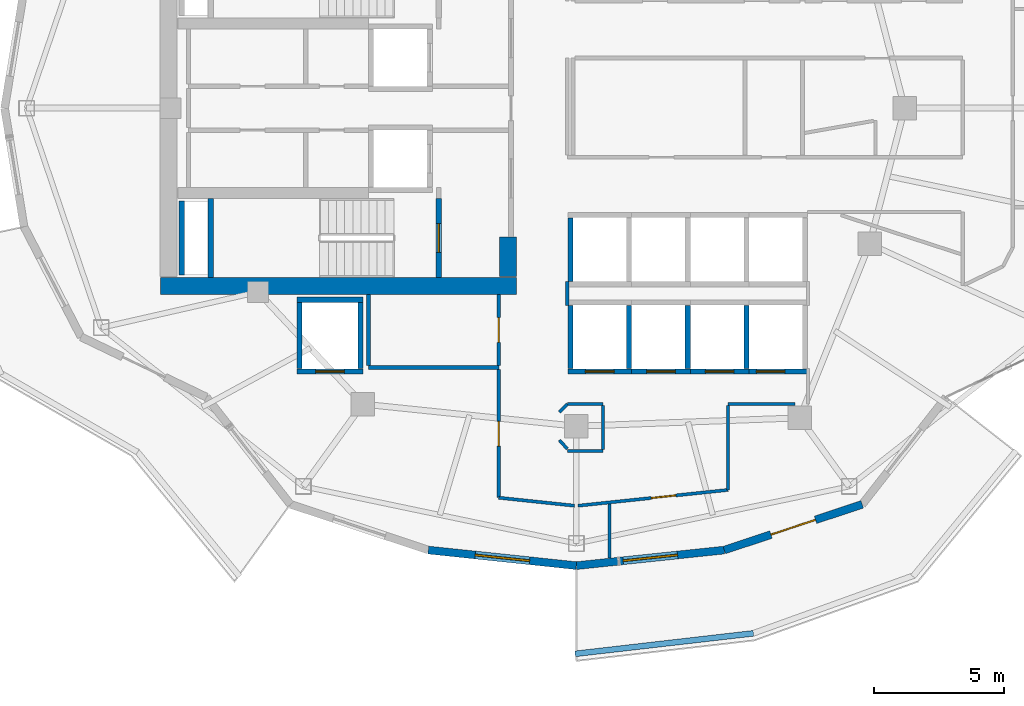
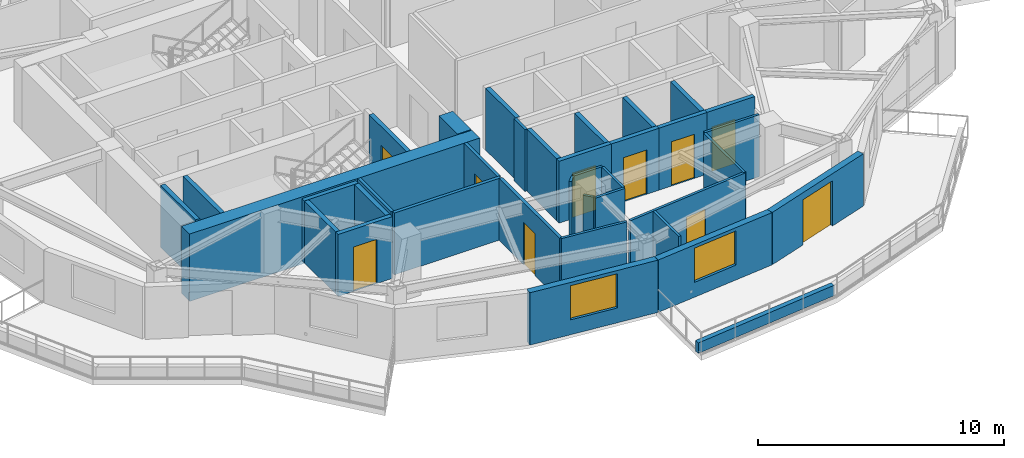
# One storey, part 5 of 13: 37 walls, 10 doors, 2 windows, 12 openings.
"""IFC4 building model written with IfcOpenShell, lengths in metres."""

import ifcopenshell
import ifcopenshell.guid

model = None  # the IFC model being written
_history = None  # IfcOwnerHistory: only IFC2X3 demands one
_inside = {}  # id of a spatial element -> (the spatial element, [elements in it])
_under = {}  # id of a project, library or spatial element -> (it, [spatial elements below it])
_declared = {}  # id of a project -> (the project, [libraries it declares])
_typed = {}  # id of a type object -> (the type object, [elements of that type])
_made_of = {}  # id of a material, layer set ... -> (it, [elements and type objects made of it])


def new_model(schema):
    """Start an empty IFC model of exactly this schema.

    Asked for "IFC4X3", IfcOpenShell would pick the latest addendum, in which some entities
    have other attributes; the version numbers below select the first issue.
    IFC2X3 requires an IfcOwnerHistory on every rooted entity: one is made here for all.
    """
    global model, _history
    if schema == "IFC4X3":
        model = ifcopenshell.file(schema_version=(4, 3, 0, 0))
    else:
        model = ifcopenshell.file(schema=schema)
    _inside.clear()
    _under.clear()
    _declared.clear()
    _typed.clear()
    _made_of.clear()
    _history = None
    if model.schema == "IFC2X3":
        org = make("IfcOrganization", Name="unknown")
        user = make(
            "IfcPersonAndOrganization",
            ThePerson=make("IfcPerson", FamilyName="unknown"),
            TheOrganization=org,
        )
        app = make(
            "IfcApplication",
            ApplicationDeveloper=org,
            Version="unknown",
            ApplicationFullName="unknown",
            ApplicationIdentifier="unknown",
        )
        _history = make(
            "IfcOwnerHistory",
            OwningUser=user,
            OwningApplication=app,
            ChangeAction="ADDED",
            CreationDate=0,
        )
    return model


def make(cls, **values):
    """One entity of the class cls with the attributes given. An attribute that is None is left unset."""
    return model.create_entity(
        cls, **{name: value for name, value in values.items() if value is not None}
    )


def rooted(cls, **values):
    """An entity with a GlobalId (a new one), such as an element, a storey or a relation."""
    return make(cls, GlobalId=ifcopenshell.guid.new(), OwnerHistory=_history, **values)


def si_unit(unit_type, name, prefix=None):
    """IfcSIUnit, for example si_unit("LENGTHUNIT", "METRE", prefix="MILLI")."""
    return make("IfcSIUnit", UnitType=unit_type, Prefix=prefix, Name=name)


def assignment(units):
    """IfcUnitAssignment: the units of a project."""
    return None if units is None else make("IfcUnitAssignment", Units=units)


def point(xyz):
    """IfcCartesianPoint."""
    return None if xyz is None else make("IfcCartesianPoint", Coordinates=xyz)


def direction(xyz):
    """IfcDirection."""
    return None if xyz is None else make("IfcDirection", DirectionRatios=xyz)


def frame(location, z_axis=None, x_axis=None):
    """IfcAxis2Placement3D, a coordinate frame: its origin and axes. An axis left out is left unset."""
    return make(
        "IfcAxis2Placement3D",
        Location=point(location),
        Axis=direction(z_axis),
        RefDirection=direction(x_axis),
    )


def frame_2d(location, x_axis=None):
    """IfcAxis2Placement2D, a coordinate frame in the plane: its origin and x axis."""
    return make(
        "IfcAxis2Placement2D", Location=point(location), RefDirection=direction(x_axis)
    )


def origin():
    """The frame at (0, 0, 0) with its axes left unset."""
    return frame((0.0, 0.0, 0.0))


def place(relative_to, where):
    """IfcLocalPlacement: puts the frame where relative to a parent placement (None: the world)."""
    return make(
        "IfcLocalPlacement", PlacementRelTo=relative_to, RelativePlacement=where
    )


def context(
    kind, dimensions, precision=None, world=None, true_north=None, identifier=None
):
    """IfcGeometricRepresentationContext, for example the 3D "Model" context."""
    return make(
        "IfcGeometricRepresentationContext",
        ContextIdentifier=identifier,
        ContextType=kind,
        CoordinateSpaceDimension=dimensions,
        Precision=precision,
        WorldCoordinateSystem=world,
        TrueNorth=true_north,
    )


def subcontext(parent, identifier, kind, view, scale=None):
    """IfcGeometricRepresentationSubContext, for example "Body" below "Model"."""
    return make(
        "IfcGeometricRepresentationSubContext",
        ContextIdentifier=identifier,
        ContextType=kind,
        ParentContext=parent,
        TargetScale=scale,
        TargetView=view,
    )


def project(units=None, contexts=None):
    """IfcProject with its units and contexts."""
    return rooted(
        "IfcProject",
        Name="project",
        RepresentationContexts=contexts,
        UnitsInContext=assignment(units),
    )


def spatial(cls, under=None, at=None, **own):
    """A site, building, storey or space (cls), placed at a placement, below another one or the project."""
    s = rooted(cls, ObjectPlacement=at, **own)
    if under is not None:
        _under.setdefault(under.id(), (under, []))[1].append(s)
    return s


def profile(cls, at=None, kind="AREA", **sizes):
    """A parametric profile (cls). Its sizes go by their IFC names, for example OverallWidth=200.0."""
    return make(cls, ProfileType=kind, Position=at, **sizes)


def rectangle(**sizes):
    """IfcRectangleProfileDef."""
    return profile("IfcRectangleProfileDef", **sizes)


def extrude(swept, where, along, depth):
    """IfcExtrudedAreaSolid: the profile swept, set in the frame where, extruded along a direction by depth."""
    return make(
        "IfcExtrudedAreaSolid",
        SweptArea=swept,
        Position=where,
        ExtrudedDirection=direction(along),
        Depth=depth,
    )


def shape(context_of_items, identifier, shape_type, items):
    """IfcShapeRepresentation: the items that make up one representation, for example the "Body"."""
    return make(
        "IfcShapeRepresentation",
        ContextOfItems=context_of_items,
        RepresentationIdentifier=identifier,
        RepresentationType=shape_type,
        Items=items,
    )


def material(Name=None, Category=None):
    """IfcMaterial."""
    return make("IfcMaterial", Name=Name, Category=Category)


def layer(
    of_material, thickness, ventilated=None, Name=None, Category=None, Priority=None
):
    """IfcMaterialLayer: one layer of a wall or slab, of a material (None: an air gap)."""
    return make(
        "IfcMaterialLayer",
        Material=of_material,
        LayerThickness=thickness,
        IsVentilated=ventilated,
        Name=Name,
        Category=Category,
        Priority=Priority,
    )


def layer_set(layers, Name=None):
    """IfcMaterialLayerSet."""
    return make("IfcMaterialLayerSet", MaterialLayers=layers, LayerSetName=Name)


def made_of(thing, what):
    """Note that an element or type object is made of a material, layer set ...; save() writes the relation."""
    if what is not None:
        _made_of.setdefault(what.id(), (what, []))[1].append(thing)
    return thing


def type_object(cls, material=None, **own):
    """A type object (cls), such as IfcWallType, which elements share."""
    return made_of(rooted(cls, **own), material)


def element(
    cls,
    number,
    at=None,
    inside=None,
    cuts=None,
    type_object=None,
    material=None,
    context=None,
    identifier="Body",
    shape_type=None,
    held_by="IfcProductDefinitionShape",
    body=None,
    shapes=None,
    **own,
):
    """One element of the class cls, such as IfcWall. Its Tag is "e" and its number.

    at: its placement. inside: the storey or other place that contains it. cuts: it is an
    opening in that element (IfcRelVoidsElement). A single representation is given by context,
    identifier, shape_type and body (its items); several are given by shapes. held_by: the class
    of the entity that holds the representations. save() writes the other relations.
    """
    e = rooted(cls, Tag="e%d" % number, ObjectPlacement=at, **own)
    if body is not None:
        shapes = [shape(context, identifier, shape_type, body)]
    if shapes is not None:
        e.Representation = make(held_by, Representations=shapes)
    if inside is not None:
        _inside.setdefault(inside.id(), (inside, []))[1].append(e)
    if cuts is not None:
        rooted(
            "IfcRelVoidsElement", RelatingBuildingElement=cuts, RelatedOpeningElement=e
        )
    if type_object is not None:
        _typed.setdefault(type_object.id(), (type_object, []))[1].append(e)
    return made_of(e, material)


def fill(opening, filler):
    """IfcRelFillsElement: the door or window that sits in an opening."""
    return rooted(
        "IfcRelFillsElement",
        RelatingOpeningElement=opening,
        RelatedBuildingElement=filler,
    )


def aggregate(whole, parts):
    """IfcRelAggregates: a whole, such as a stair, and the parts it consists of."""
    return rooted("IfcRelAggregates", RelatingObject=whole, RelatedObjects=parts)


def save(model, path):
    """Write the relations noted so far, then the file.

    IfcRelAggregates (storeys below a building ...), IfcRelContainedInSpatialStructure (elements
    in a storey), IfcRelDefinesByType, IfcRelAssociatesMaterial and IfcRelDeclares: one each for
    every whole, place, type object, material and project.
    """
    for whole, parts in _under.values():
        aggregate(whole, parts)
    for where, things in _inside.values():
        rooted(
            "IfcRelContainedInSpatialStructure",
            RelatedElements=things,
            RelatingStructure=where,
        )
    for kind, things in _typed.values():
        rooted("IfcRelDefinesByType", RelatedObjects=things, RelatingType=kind)
    for what, things in _made_of.values():
        rooted("IfcRelAssociatesMaterial", RelatedObjects=things, RelatingMaterial=what)
    for by, libraries in _declared.values():
        rooted("IfcRelDeclares", RelatingContext=by, RelatedDefinitions=libraries)
    model.write(path)


model = new_model("IFC4")

# Units and contexts
model_context = context("Model", 3, precision=1e-05, world=origin(), true_north=direction((0.0, 1.0)))
body_context = subcontext(model_context, "Body", "Model", "MODEL_VIEW")
ifc_project = project(units=[si_unit("LENGTHUNIT", "METRE"), si_unit("AREAUNIT", "SQUARE_METRE"), si_unit("VOLUMEUNIT", "CUBIC_METRE"), si_unit("PLANEANGLEUNIT", "RADIAN"), si_unit("MASSUNIT", "GRAM", prefix="KILO")], contexts=[model_context])

# Site, building, storey
site_placement = place(None, origin())
site = spatial("IfcSite", under=ifc_project, at=site_placement, CompositionType="ELEMENT")
building_placement = place(site_placement, origin())
building = spatial("IfcBuilding", under=site, at=building_placement, Name="Kolvaren Gate Tower and Convention Centre", CompositionType="ELEMENT")
storey_placement = place(building_placement, frame((0.0, 0.0, 183.5)))
storey = spatial("IfcBuildingStorey", under=building, at=storey_placement, Name="L48", CompositionType="ELEMENT", Elevation=183.5)

# Walls
ifc_material_1 = material(Name="Fire-Rated Acoustic Gypsum Stud Partition", Category="gypsum")
ifc_layer_1 = layer(ifc_material_1, 0.1201171875)
ifc_layer_set_1 = layer_set([ifc_layer_1], Name="Fire-Rated Acoustic Gypsum Stud Partition")
wall_type_1 = type_object("IfcWallType", Name="ARCH-WL-PART-120", PredefinedType="PARTITIONING", material=ifc_layer_set_1)
wall_1_placement = place(storey_placement, frame((29.780029296875, 15.64990234375, 0.0), z_axis=(0.0, 0.0, 1.0), x_axis=(1.0, 0.0, 0.0)))
element("IfcWall", 1, at=wall_1_placement, inside=storey, type_object=wall_type_1, Name="Interior Partition WL-L48-INT-024", PredefinedType="PARTITIONING", context=body_context, shape_type="SweptSolid", body=[
    extrude(rectangle(XDim=1.369873046875, YDim=0.1201171875, at=frame_2d((0.68505859375, 0.0))), origin(), (0.0, 0.0, 1.0), 3.080078125),
])
wall_2_placement = place(storey_placement, frame((35.949951171875, 15.64990234375, 0.0), z_axis=(0.0, 0.0, 1.0), x_axis=(1.0, 0.0, 0.0)))
element("IfcWall", 2, at=wall_2_placement, inside=storey, type_object=wall_type_1, Name="Interior Partition WL-L48-INT-025", PredefinedType="PARTITIONING", context=body_context, shape_type="SweptSolid", body=[
    extrude(rectangle(XDim=2.568115234375, YDim=0.1201171875, at=frame_2d((1.2841796875, 0.0))), origin(), (0.0, 0.0, 1.0), 3.080078125),
])
wall_3_placement = place(storey_placement, frame((35.949951171875, 12.35595703125, 0.0), z_axis=(0.0, 0.0, 1.0), x_axis=(0.0, 1.0, 0.0)))
element("IfcWall", 3, at=wall_3_placement, inside=storey, type_object=wall_type_1, Name="Interior Partition WL-L48-INT-026", PredefinedType="PARTITIONING", context=body_context, shape_type="SweptSolid", body=[
    extrude(rectangle(XDim=3.23193359375, YDim=0.1201171875, at=frame_2d((1.615966796875, 0.0))), origin(), (0.0, 0.0, 1.0), 3.080078125),
])

# Wall, opening, door
wall_4_placement = place(storey_placement, frame((30.195068359375, 11.75, 0.0), z_axis=(0.0, 0.0, 1.0), x_axis=(0.994502215954, 0.104715531139, 0.0)))
wall_4 = element("IfcWall", 4, at=wall_4_placement, inside=storey, type_object=wall_type_1, Name="Interior Partition WL-L48-INT-027", PredefinedType="PARTITIONING", context=body_context, shape_type="SweptSolid", body=[
    extrude(rectangle(XDim=5.78662109375, YDim=0.1201171875, at=frame_2d((2.893310546875, 0.0))), origin(), (0.0, 0.0, 1.0), 3.080078125),
])
opening_1_placement = place(wall_4_placement, frame((2.818603515625, 0.0, 0.0)))
opening_1 = element("IfcOpeningElement", 5, at=opening_1_placement, cuts=wall_4, Name="Opening DR-01", PredefinedType="OPENING", context=body_context, shape_type="SweptSolid", body=[
    extrude(rectangle(XDim=0.949951171875, YDim=2.10009765625, at=frame_2d((0.47509765625, 1.050048828125))), frame((0.0, 0.070068359375, 0.0), z_axis=(0.0, -1.0, 0.0), x_axis=(1.0, 0.0, 0.0)), (0.0, 0.0, 1.0), 0.14013671875),
])
ifc_material_2 = material(Name="Painted Architectural Steelwork ASTM A500 Grade C 345 MPa", Category="steel")
door_type_1 = type_object("IfcDoorType", Name="ARCH-DR-RISER-950", OperationType="SINGLE_SWING_RIGHT", PredefinedType="DOOR", material=ifc_material_2)
door_1_placement = place(opening_1_placement, origin())
door_1 = element("IfcDoor", 6, at=door_1_placement, inside=storey, type_object=door_type_1, Name="Sky Gastronomy Restaurant Door", OperationType="SINGLE_SWING_RIGHT", OverallHeight=2.10009765625, OverallWidth=0.949951171875, PredefinedType="DOOR", context=body_context, shape_type="SweptSolid", body=[
    extrude(rectangle(XDim=0.949951171875, YDim=2.10009765625, at=frame_2d((0.47509765625, 1.050048828125))), frame((0.0, 0.02490234375, 0.0), z_axis=(0.0, -1.0, 0.0), x_axis=(1.0, 0.0, 0.0)), (0.0, 0.0, 1.0), 0.050048828125),
])
fill(opening_1, door_1)

# Walls
wall_5_placement = place(storey_placement, frame((27.14990234375, 12.055908203125, 0.0), z_axis=(0.0, 0.0, 1.0), x_axis=(0.994501330468, -0.104723940422, 0.0)))
element("IfcWall", 7, at=wall_5_placement, inside=storey, type_object=wall_type_1, Name="Interior Partition WL-L48-INT-028", PredefinedType="PARTITIONING", context=body_context, shape_type="SweptSolid", body=[
    extrude(rectangle(XDim=2.921142578125, YDim=0.1201171875, at=frame_2d((1.46044921875, 0.0))), origin(), (0.0, 0.0, 1.0), 3.080078125),
])
wall_6_placement = place(storey_placement, frame((29.780029296875, 19.43994140625, 0.0), z_axis=(0.0, 0.0, 1.0), x_axis=(0.0, 1.0, 0.0)))
element("IfcWall", 8, at=wall_6_placement, inside=storey, type_object=wall_type_1, Name="Interior Partition WL-L48-INT-031", PredefinedType="PARTITIONING", context=body_context, shape_type="SweptSolid", body=[
    extrude(rectangle(XDim=0.920166015625, YDim=0.1201171875, at=frame_2d((0.4599609375, 0.0))), origin(), (0.0, 0.0, 1.0), 3.080078125),
])
wall_7_placement = place(storey_placement, frame((29.47607421875, 15.3330078125, 0.0), z_axis=(0.0, 0.0, 1.0), x_axis=(0.692219273951, 0.721687243043, 0.0)))
element("IfcWall", 9, at=wall_7_placement, inside=storey, type_object=wall_type_1, Name="Interior Partition WL-L48-INT-045", PredefinedType="PARTITIONING", context=body_context, shape_type="SweptSolid", body=[
    extrude(rectangle(XDim=0.439208984375, YDim=0.1201171875, at=frame_2d((0.2197265625, 0.0))), origin(), (0.0, 0.0, 1.0), 3.080078125),
])
wall_8_placement = place(storey_placement, frame((29.47607421875, 14.26708984375, 0.0), z_axis=(0.0, 0.0, 1.0), x_axis=(0.670659392016, -0.741765448037, 0.0)))
element("IfcWall", 10, at=wall_8_placement, inside=storey, type_object=wall_type_1, Name="Interior Partition WL-L48-INT-046", PredefinedType="PARTITIONING", context=body_context, shape_type="SweptSolid", body=[
    extrude(rectangle(XDim=0.453125, YDim=0.1201171875, at=frame_2d((0.2265625, 0.0))), origin(), (0.0, 0.0, 1.0), 3.080078125),
])
wall_9_placement = place(storey_placement, frame((29.780029296875, 13.85009765625, 0.0), z_axis=(0.0, 0.0, 1.0), x_axis=(1.0, 0.0, 0.0)))
element("IfcWall", 11, at=wall_9_placement, inside=storey, type_object=wall_type_1, Name="Interior Partition WL-L48-INT-047", PredefinedType="PARTITIONING", context=body_context, shape_type="SweptSolid", body=[
    extrude(rectangle(XDim=1.369873046875, YDim=0.1201171875, at=frame_2d((0.68505859375, 0.0))), origin(), (0.0, 0.0, 1.0), 3.080078125),
])
wall_10_placement = place(storey_placement, frame((31.14990234375, 13.912109375, 0.0), z_axis=(0.0, 0.0, 1.0), x_axis=(0.0, 1.0, 0.0)))
element("IfcWall", 12, at=wall_10_placement, inside=storey, type_object=wall_type_1, Name="Interior Partition WL-L48-INT-048", PredefinedType="PARTITIONING", context=body_context, shape_type="SweptSolid", body=[
    extrude(rectangle(XDim=1.67578125, YDim=0.1201171875, at=frame_2d((0.837890625, 0.0))), origin(), (0.0, 0.0, 1.0), 3.080078125),
])
wall_11_placement = place(storey_placement, frame((31.39990234375, 9.737060546875, 0.0), z_axis=(0.0, 0.0, 1.0), x_axis=(0.0, 1.0, 0.0)))
element("IfcWall", 13, at=wall_11_placement, inside=storey, type_object=wall_type_1, Name="Interior Partition WL-L48-INT-051", PredefinedType="PARTITIONING", context=body_context, shape_type="SweptSolid", body=[
    extrude(rectangle(XDim=2.077392578125, YDim=0.1201171875, at=frame_2d((1.03857421875, 0.0))), origin(), (0.0, 0.0, 1.0), 3.080078125),
])
ifc_material_3 = material(Name="Piedmont Cream Honed Limestone Cladding", Category="masonry")
ifc_layer_2 = layer(ifc_material_3, 0.219970703125)
ifc_layer_set_2 = layer_set([ifc_layer_2], Name="Piedmont Cream Honed Limestone Cladding")
wall_type_2 = type_object("IfcWallType", Name="ARCH-WL-PLANTER-220", PredefinedType="PARAPET", material=ifc_layer_set_2)
wall_12_placement = place(storey_placement, frame((30.07958984375, 6.06640625, 0.0), z_axis=(0.0, 0.0, 1.0), x_axis=(0.993440576506, 0.114349555972, 0.0)))
element("IfcWall", 14, at=wall_12_placement, inside=storey, type_object=wall_type_2, Name="Vertical-Forest Balcony Stone Planter Kerb PK-L48-3.1", PredefinedType="PARAPET", context=body_context, shape_type="SweptSolid", body=[
    extrude(rectangle(XDim=6.885498046875, YDim=0.219970703125, at=frame_2d((3.44287109375, 0.0))), origin(), (0.0, 0.0, 1.0), 0.52001953125),
])
ifc_material_4 = material(Name="Autoclaved Aerated Masonry Blockwork Class 4 (4.0 MPa)", Category="masonry")
ifc_layer_3 = layer(ifc_material_4, 0.199951171875)
ifc_layer_set_3 = layer_set([ifc_layer_3], Name="Autoclaved Aerated Masonry Blockwork Class 4 (4.0 MPa)")
wall_type_3 = type_object("IfcWallType", Name="ARCH-WL-SHAFT-200", PredefinedType="SOLIDWALL", material=ifc_layer_set_3)
wall_13_placement = place(storey_placement, frame((19.39990234375, 19.64990234375, 0.0), z_axis=(0.0, 0.0, 1.0), x_axis=(1.0, 0.0, 0.0)))
element("IfcWall", 15, at=wall_13_placement, inside=storey, type_object=wall_type_3, Name="Elevator SV-01 L48 Fire Shaft Wall N", PredefinedType="SOLIDWALL", context=body_context, shape_type="SweptSolid", body=[
    extrude(rectangle(XDim=2.550048828125, YDim=0.199951171875, at=frame_2d((1.27490234375, 0.0))), origin(), (0.0, 0.0, 1.0), 3.080078125),
])

# Wall, opening, door
wall_14_placement = place(storey_placement, frame((19.39990234375, 16.89990234375, 0.0), z_axis=(0.0, 0.0, 1.0), x_axis=(1.0, 0.0, 0.0)))
wall_14 = element("IfcWall", 16, at=wall_14_placement, inside=storey, type_object=wall_type_3, Name="Elevator SV-01 L48 Fire Shaft Wall S", PredefinedType="SOLIDWALL", context=body_context, shape_type="SweptSolid", body=[
    extrude(rectangle(XDim=2.550048828125, YDim=0.199951171875, at=frame_2d((1.27490234375, 0.0))), origin(), (0.0, 0.0, 1.0), 3.080078125),
])
opening_2_placement = place(wall_14_placement, frame((0.72509765625, 0.0, 0.0)))
opening_2 = element("IfcOpeningElement", 17, at=opening_2_placement, cuts=wall_14, Name="Opening LD", PredefinedType="OPENING", context=body_context, shape_type="SweptSolid", body=[
    extrude(rectangle(XDim=1.10009765625, YDim=2.199951171875, at=frame_2d((0.550048828125, 1.10009765625))), frame((0.0, 0.10986328125, 0.0), z_axis=(0.0, -1.0, 0.0), x_axis=(1.0, 0.0, 0.0)), (0.0, 0.0, 1.0), 0.219970703125),
])
ifc_material_5 = material(Name="Brushed Stainless Steel Grade 316L", Category="steel")
door_type_2 = type_object("IfcDoorType", Name="ARCH-DR-LIFT-1100", OperationType="SLIDING_TO_LEFT", PredefinedType="DOOR", material=ifc_material_5)
door_2_placement = place(opening_2_placement, origin())
door_2 = element("IfcDoor", 18, at=door_2_placement, inside=storey, type_object=door_type_2, Name="Elevator SV-01 L48 Sliding Landing Door", OperationType="SLIDING_TO_LEFT", OverallHeight=2.199951171875, OverallWidth=1.10009765625, PredefinedType="DOOR", context=body_context, shape_type="SweptSolid", body=[
    extrude(rectangle(XDim=1.10009765625, YDim=2.199951171875, at=frame_2d((0.550048828125, 1.10009765625))), frame((0.0, 0.02490234375, 0.0), z_axis=(0.0, -1.0, 0.0), x_axis=(1.0, 0.0, 0.0)), (0.0, 0.0, 1.0), 0.050048828125),
])
fill(opening_2, door_2)

# Walls
for number, where, z_axis, x_axis, name in (
    (19, (19.5, 17.010009765625, 0.0), (0.0, 0.0, 1.0), (0.0, 1.0, 0.0), "Elevator SV-01 L48 Fire Shaft Wall W"),
    (20, (21.85009765625, 17.010009765625, 0.0), (0.0, 0.0, 1.0), (0.0, 1.0, 0.0), "Elevator SV-01 L48 Fire Shaft Wall E"),
):
    element("IfcWall", number, at=place(storey_placement, frame(where, z_axis=z_axis, x_axis=x_axis)), inside=storey, type_object=wall_type_3, Name=name, PredefinedType="SOLIDWALL", context=body_context, shape_type="SweptSolid", body=[
        extrude(rectangle(XDim=2.530029296875, YDim=0.199951171875, at=frame_2d((1.26513671875, 0.0))), origin(), (0.0, 0.0, 1.0), 3.080078125),
    ])

# Wall, opening, door
wall_15_placement = place(storey_placement, frame((29.800048828125, 16.89990234375, 0.0), z_axis=(0.0, 0.0, 1.0), x_axis=(1.0, 0.0, 0.0)))
wall_15 = element("IfcWall", 21, at=wall_15_placement, inside=storey, type_object=wall_type_3, Name="Elevator PL-05 L48 Fire Shaft Wall S", PredefinedType="SOLIDWALL", context=body_context, shape_type="SweptSolid", body=[
    extrude(rectangle(XDim=2.449951171875, YDim=0.199951171875, at=frame_2d((1.22509765625, 0.0))), origin(), (0.0, 0.0, 1.0), 3.080078125),
])
opening_3_placement = place(wall_15_placement, frame((0.675048828125, 0.0, 0.0)))
opening_3 = element("IfcOpeningElement", 22, at=opening_3_placement, cuts=wall_15, Name="Opening LD", PredefinedType="OPENING", context=body_context, shape_type="SweptSolid", body=[
    extrude(rectangle(XDim=1.10009765625, YDim=2.199951171875, at=frame_2d((0.550048828125, 1.10009765625))), frame((0.0, 0.10986328125, 0.0), z_axis=(0.0, -1.0, 0.0), x_axis=(1.0, 0.0, 0.0)), (0.0, 0.0, 1.0), 0.219970703125),
])
door_3_placement = place(opening_3_placement, origin())
door_3 = element("IfcDoor", 23, at=door_3_placement, inside=storey, type_object=door_type_2, Name="Elevator PL-05 L48 Sliding Landing Door", OperationType="SLIDING_TO_LEFT", OverallHeight=2.199951171875, OverallWidth=1.10009765625, PredefinedType="DOOR", context=body_context, shape_type="SweptSolid", body=[
    extrude(rectangle(XDim=1.10009765625, YDim=2.199951171875, at=frame_2d((0.550048828125, 1.10009765625))), frame((0.0, 0.02490234375, 0.0), z_axis=(0.0, -1.0, 0.0), x_axis=(1.0, 0.0, 0.0)), (0.0, 0.0, 1.0), 0.050048828125),
])
fill(opening_3, door_3)

# Walls
for number, where, z_axis, x_axis, name in (
    (24, (29.89990234375, 17.010009765625, 0.0), (0.0, 0.0, 1.0), (0.0, 1.0, 0.0), "Elevator PL-05 L48 Fire Shaft Wall W"),
    (25, (32.14990234375, 17.010009765625, 0.0), (0.0, 0.0, 1.0), (0.0, 1.0, 0.0), "Elevator PL-05 L48 Fire Shaft Wall E"),
):
    element("IfcWall", number, at=place(storey_placement, frame(where, z_axis=z_axis, x_axis=x_axis)), inside=storey, type_object=wall_type_3, Name=name, PredefinedType="SOLIDWALL", context=body_context, shape_type="SweptSolid", body=[
        extrude(rectangle(XDim=2.429931640625, YDim=0.199951171875, at=frame_2d((1.21484375, 0.0))), origin(), (0.0, 0.0, 1.0), 3.080078125),
    ])

# Wall, opening, door
wall_16_placement = place(storey_placement, frame((32.25, 16.89990234375, 0.0), z_axis=(0.0, 0.0, 1.0), x_axis=(1.0, 0.0, 0.0)))
wall_16 = element("IfcWall", 26, at=wall_16_placement, inside=storey, type_object=wall_type_3, Name="Elevator PL-06 L48 Fire Shaft Wall S", PredefinedType="SOLIDWALL", context=body_context, shape_type="SweptSolid", body=[
    extrude(rectangle(XDim=2.25, YDim=0.199951171875, at=frame_2d((1.125, 0.0))), origin(), (0.0, 0.0, 1.0), 3.080078125),
])
opening_4_placement = place(wall_16_placement, frame((0.574951171875, 0.0, 0.0)))
opening_4 = element("IfcOpeningElement", 27, at=opening_4_placement, cuts=wall_16, Name="Opening LD", PredefinedType="OPENING", context=body_context, shape_type="SweptSolid", body=[
    extrude(rectangle(XDim=1.10009765625, YDim=2.199951171875, at=frame_2d((0.550048828125, 1.10009765625))), frame((0.0, 0.10986328125, 0.0), z_axis=(0.0, -1.0, 0.0), x_axis=(1.0, 0.0, 0.0)), (0.0, 0.0, 1.0), 0.219970703125),
])
door_4_placement = place(opening_4_placement, origin())
door_4 = element("IfcDoor", 28, at=door_4_placement, inside=storey, type_object=door_type_2, Name="Elevator PL-06 L48 Sliding Landing Door", OperationType="SLIDING_TO_LEFT", OverallHeight=2.199951171875, OverallWidth=1.10009765625, PredefinedType="DOOR", context=body_context, shape_type="SweptSolid", body=[
    extrude(rectangle(XDim=1.10009765625, YDim=2.199951171875, at=frame_2d((0.550048828125, 1.10009765625))), frame((0.0, 0.02490234375, 0.0), z_axis=(0.0, -1.0, 0.0), x_axis=(1.0, 0.0, 0.0)), (0.0, 0.0, 1.0), 0.050048828125),
])
fill(opening_4, door_4)

# Wall
wall_17_placement = place(storey_placement, frame((34.39990234375, 17.010009765625, 0.0), z_axis=(0.0, 0.0, 1.0), x_axis=(0.0, 1.0, 0.0)))
element("IfcWall", 29, at=wall_17_placement, inside=storey, type_object=wall_type_3, Name="Elevator PL-06 L48 Fire Shaft Wall E", PredefinedType="SOLIDWALL", context=body_context, shape_type="SweptSolid", body=[
    extrude(rectangle(XDim=2.429931640625, YDim=0.199951171875, at=frame_2d((1.21484375, 0.0))), origin(), (0.0, 0.0, 1.0), 3.080078125),
])

# Wall, opening, door
wall_18_placement = place(storey_placement, frame((34.5, 16.89990234375, 0.0), z_axis=(0.0, 0.0, 1.0), x_axis=(1.0, 0.0, 0.0)))
wall_18 = element("IfcWall", 30, at=wall_18_placement, inside=storey, type_object=wall_type_3, Name="Elevator PL-07 L48 Fire Shaft Wall S", PredefinedType="SOLIDWALL", context=body_context, shape_type="SweptSolid", body=[
    extrude(rectangle(XDim=2.25, YDim=0.199951171875, at=frame_2d((1.125, 0.0))), origin(), (0.0, 0.0, 1.0), 3.080078125),
])
opening_5_placement = place(wall_18_placement, frame((0.574951171875, 0.0, 0.0)))
opening_5 = element("IfcOpeningElement", 31, at=opening_5_placement, cuts=wall_18, Name="Opening LD", PredefinedType="OPENING", context=body_context, shape_type="SweptSolid", body=[
    extrude(rectangle(XDim=1.10009765625, YDim=2.199951171875, at=frame_2d((0.550048828125, 1.10009765625))), frame((0.0, 0.10986328125, 0.0), z_axis=(0.0, -1.0, 0.0), x_axis=(1.0, 0.0, 0.0)), (0.0, 0.0, 1.0), 0.219970703125),
])
door_5_placement = place(opening_5_placement, origin())
door_5 = element("IfcDoor", 32, at=door_5_placement, inside=storey, type_object=door_type_2, Name="Elevator PL-07 L48 Sliding Landing Door", OperationType="SLIDING_TO_LEFT", OverallHeight=2.199951171875, OverallWidth=1.10009765625, PredefinedType="DOOR", context=body_context, shape_type="SweptSolid", body=[
    extrude(rectangle(XDim=1.10009765625, YDim=2.199951171875, at=frame_2d((0.550048828125, 1.10009765625))), frame((0.0, 0.02490234375, 0.0), z_axis=(0.0, -1.0, 0.0), x_axis=(1.0, 0.0, 0.0)), (0.0, 0.0, 1.0), 0.050048828125),
])
fill(opening_5, door_5)

# Wall
wall_19_placement = place(storey_placement, frame((36.64990234375, 17.010009765625, 0.0), z_axis=(0.0, 0.0, 1.0), x_axis=(0.0, 1.0, 0.0)))
element("IfcWall", 33, at=wall_19_placement, inside=storey, type_object=wall_type_3, Name="Elevator PL-07 L48 Fire Shaft Wall E", PredefinedType="SOLIDWALL", context=body_context, shape_type="SweptSolid", body=[
    extrude(rectangle(XDim=2.429931640625, YDim=0.199951171875, at=frame_2d((1.21484375, 0.0))), origin(), (0.0, 0.0, 1.0), 3.080078125),
])

# Wall, opening, door
wall_20_placement = place(storey_placement, frame((36.75, 16.89990234375, 0.0), z_axis=(0.0, 0.0, 1.0), x_axis=(1.0, 0.0, 0.0)))
wall_20 = element("IfcWall", 34, at=wall_20_placement, inside=storey, type_object=wall_type_3, Name="Elevator PL-08 L48 Fire Shaft Wall S", PredefinedType="SOLIDWALL", context=body_context, shape_type="SweptSolid", body=[
    extrude(rectangle(XDim=2.25, YDim=0.199951171875, at=frame_2d((1.125, 0.0))), origin(), (0.0, 0.0, 1.0), 3.080078125),
])
opening_6_placement = place(wall_20_placement, frame((0.280029296875, 0.0, 0.0)))
opening_6 = element("IfcOpeningElement", 35, at=opening_6_placement, cuts=wall_20, Name="Opening LD", PredefinedType="OPENING", context=body_context, shape_type="SweptSolid", body=[
    extrude(rectangle(XDim=1.10009765625, YDim=2.199951171875, at=frame_2d((0.550048828125, 1.10009765625))), frame((0.0, 0.10986328125, 0.0), z_axis=(0.0, -1.0, 0.0), x_axis=(1.0, 0.0, 0.0)), (0.0, 0.0, 1.0), 0.219970703125),
])
door_6_placement = place(opening_6_placement, origin())
door_6 = element("IfcDoor", 36, at=door_6_placement, inside=storey, type_object=door_type_2, Name="Elevator PL-08 L48 Sliding Landing Door", OperationType="SLIDING_TO_LEFT", OverallHeight=2.199951171875, OverallWidth=1.10009765625, PredefinedType="DOOR", context=body_context, shape_type="SweptSolid", body=[
    extrude(rectangle(XDim=1.10009765625, YDim=2.199951171875, at=frame_2d((0.550048828125, 1.10009765625))), frame((0.0, 0.02490234375, 0.0), z_axis=(0.0, -1.0, 0.0), x_axis=(1.0, 0.0, 0.0)), (0.0, 0.0, 1.0), 0.050048828125),
])
fill(opening_6, door_6)

# Walls
wall_21_placement = place(storey_placement, frame((29.89990234375, 20.360107421875, 0.0), z_axis=(0.0, 0.0, 1.0), x_axis=(0.0, 1.0, 0.0)))
element("IfcWall", 37, at=wall_21_placement, inside=storey, type_object=wall_type_3, Name="Elevator PL-09 L48 Fire Shaft Wall W", PredefinedType="SOLIDWALL", context=body_context, shape_type="SweptSolid", body=[
    extrude(rectangle(XDim=2.429931640625, YDim=0.199951171875, at=frame_2d((1.21484375, 0.0))), origin(), (0.0, 0.0, 1.0), 3.080078125),
])
wall_22_placement = place(storey_placement, frame((14.989990234375, 20.60009765625, 0.0), z_axis=(0.0, 0.0, 1.0), x_axis=(0.0, 1.0, 0.0)))
element("IfcWall", 38, at=wall_22_placement, inside=storey, type_object=wall_type_3, Name="Vertical Shaft MPR L48 EI-120 Enclosure Wall W", PredefinedType="SOLIDWALL", context=body_context, shape_type="SweptSolid", body=[
    extrude(rectangle(XDim=2.849853515625, YDim=0.199951171875, at=frame_2d((1.4248046875, 0.0))), origin(), (0.0, 0.0, 1.0), 3.080078125),
])

# Wall, opening, window
ifc_layer_4 = layer(ifc_material_3, 0.300048828125)
ifc_layer_set_4 = layer_set([ifc_layer_4], Name="Piedmont Cream Honed Limestone Cladding")
wall_type_4 = type_object("IfcWallType", Name="ARCH-WL-STONE-300", PredefinedType="SOLIDWALL", material=ifc_layer_set_4)
wall_23_placement = place(storey_placement, frame((24.447265625, 10.048095703125, 0.0), z_axis=(0.0, 0.0, 1.0), x_axis=(0.994496545245, -0.104769372887, 0.0)))
wall_23 = element("IfcWall", 39, at=wall_23_placement, inside=storey, type_object=wall_type_4, Name="Tower L48 Honed Stone Spandrel Wall EW-17", PredefinedType="SOLIDWALL", context=body_context, shape_type="SweptSolid", body=[
    extrude(rectangle(XDim=5.709228515625, YDim=0.300048828125, at=frame_2d((2.8544921875, 0.0))), origin(), (0.0, 0.0, 1.0), 2.60302734375),
])
opening_7_placement = place(wall_23_placement, frame((1.804931640625, 0.0, 0.739990234375)))
opening_7 = element("IfcOpeningElement", 40, at=opening_7_placement, cuts=wall_23, Name="Opening W-02", PredefinedType="OPENING", context=body_context, shape_type="SweptSolid", body=[
    extrude(rectangle(XDim=2.10009765625, YDim=1.699951171875, at=frame_2d((1.050048828125, 0.85009765625))), frame((0.0, 0.159912109375, 0.0), z_axis=(0.0, -1.0, 0.0), x_axis=(1.0, 0.0, 0.0)), (0.0, 0.0, 1.0), 0.320068359375),
])
ifc_material_6 = material(Name="Low-E Triple Insulated Glazing Unit 44 mm", Category="glass")
window_type = type_object("IfcWindowType", Name="ARCH-WN-HTL-2100", PartitioningType="SINGLE_PANEL", PredefinedType="WINDOW", material=ifc_material_6)
window_1_placement = place(opening_7_placement, origin())
window_1 = element("IfcWindow", 41, at=window_1_placement, inside=storey, type_object=window_type, Name="Tower L48 Punched Stone Facade Window W-17", OverallHeight=1.699951171875, OverallWidth=2.10009765625, PartitioningType="SINGLE_PANEL", PredefinedType="WINDOW", context=body_context, shape_type="SweptSolid", body=[
    extrude(rectangle(XDim=2.10009765625, YDim=1.699951171875, at=frame_2d((1.050048828125, 0.85009765625))), frame((0.0, 0.030029296875, 0.0), z_axis=(0.0, -1.0, 0.0), x_axis=(1.0, 0.0, 0.0)), (0.0, 0.0, 1.0), 0.06005859375),
])
fill(opening_7, window_1)

wall_24_placement = place(storey_placement, frame((30.125, 9.449951171875, 0.0), z_axis=(0.0, 0.0, 1.0), x_axis=(0.994496545245, 0.104769372887, 0.0)))
wall_24 = element("IfcWall", 42, at=wall_24_placement, inside=storey, type_object=wall_type_4, Name="Tower L48 Honed Stone Spandrel Wall EW-18", PredefinedType="SOLIDWALL", context=body_context, shape_type="SweptSolid", body=[
    extrude(rectangle(XDim=5.709228515625, YDim=0.300048828125, at=frame_2d((2.8544921875, 0.0))), origin(), (0.0, 0.0, 1.0), 2.60302734375),
])
opening_8_placement = place(wall_24_placement, frame((1.804931640625, 0.0, 0.739990234375)))
opening_8 = element("IfcOpeningElement", 43, at=opening_8_placement, cuts=wall_24, Name="Opening W-02", PredefinedType="OPENING", context=body_context, shape_type="SweptSolid", body=[
    extrude(rectangle(XDim=2.10009765625, YDim=1.699951171875, at=frame_2d((1.050048828125, 0.85009765625))), frame((0.0, 0.159912109375, 0.0), z_axis=(0.0, -1.0, 0.0), x_axis=(1.0, 0.0, 0.0)), (0.0, 0.0, 1.0), 0.320068359375),
])
window_2_placement = place(opening_8_placement, origin())
window_2 = element("IfcWindow", 44, at=window_2_placement, inside=storey, type_object=window_type, Name="Tower L48 Punched Stone Facade Window W-18", OverallHeight=1.699951171875, OverallWidth=2.10009765625, PartitioningType="SINGLE_PANEL", PredefinedType="WINDOW", context=body_context, shape_type="SweptSolid", body=[
    extrude(rectangle(XDim=2.10009765625, YDim=1.699951171875, at=frame_2d((1.050048828125, 0.85009765625))), frame((0.0, 0.030029296875, 0.0), z_axis=(0.0, -1.0, 0.0), x_axis=(1.0, 0.0, 0.0)), (0.0, 0.0, 1.0), 0.06005859375),
])
fill(opening_8, window_2)

# Wall, opening, door
wall_25_placement = place(storey_placement, frame((35.802734375, 10.048095703125, 0.0), z_axis=(0.0, 0.0, 1.0), x_axis=(0.949246811547, 0.314532177636, 0.0)))
wall_25 = element("IfcWall", 45, at=wall_25_placement, inside=storey, type_object=wall_type_4, Name="Tower L48 Honed Stone Spandrel Wall EW-19", PredefinedType="SOLIDWALL", context=body_context, shape_type="SweptSolid", body=[
    extrude(rectangle(XDim=5.573974609375, YDim=0.300048828125, at=frame_2d((2.787109375, 0.0))), origin(), (0.0, 0.0, 1.0), 2.60302734375),
])
opening_9_placement = place(wall_25_placement, frame((1.886962890625, 0.0, 0.0)))
opening_9 = element("IfcOpeningElement", 46, at=opening_9_placement, cuts=wall_25, Name="Opening DB-01", PredefinedType="OPENING", context=body_context, shape_type="SweptSolid", body=[
    extrude(rectangle(XDim=1.800048828125, YDim=2.25, at=frame_2d((0.89990234375, 1.125))), frame((0.0, 0.159912109375, 0.0), z_axis=(0.0, -1.0, 0.0), x_axis=(1.0, 0.0, 0.0)), (0.0, 0.0, 1.0), 0.320068359375),
])
ifc_material_7 = material(Name="Anodized Architectural Aluminium Alloy 6063-T6", Category="aluminium")
door_type_3 = type_object("IfcDoorType", Name="ARCH-DR-BALC-1800", OperationType="SLIDING_TO_LEFT", PredefinedType="DOOR", material=ifc_material_7)
door_7_placement = place(opening_9_placement, frame((1.800048828125, 0.0, 0.0), z_axis=(0.0, 0.0, 1.0), x_axis=(-1.0, 0.0, 0.0)))
door_7 = element("IfcDoor", 47, at=door_7_placement, inside=storey, type_object=door_type_3, Name="Planted Sky Terrace Access Door DB-L48-19", OperationType="SLIDING_TO_LEFT", OverallHeight=2.25, OverallWidth=1.800048828125, PredefinedType="DOOR", context=body_context, shape_type="SweptSolid", body=[
    extrude(rectangle(XDim=1.800048828125, YDim=2.25, at=frame_2d((0.89990234375, 1.125))), frame((0.0, 0.02490234375, 0.0), z_axis=(0.0, -1.0, 0.0), x_axis=(1.0, 0.0, 0.0)), (0.0, 0.0, 1.0), 0.050048828125),
])
fill(opening_9, door_7)

# Walls
ifc_material_8 = material(Name="Moisture-Resistant Cement-Board Acoustic Partition", Category="gypsum")
ifc_layer_5 = layer(ifc_material_8, 0.14990234375)
ifc_layer_set_5 = layer_set([ifc_layer_5], Name="Moisture-Resistant Cement-Board Acoustic Partition")
wall_type_5 = type_object("IfcWallType", Name="ARCH-WL-WET-150", PredefinedType="PARTITIONING", material=ifc_layer_set_5)
wall_26_placement = place(storey_placement, frame((22.14990234375, 17.050048828125, 0.0), z_axis=(0.0, 0.0, 1.0), x_axis=(1.0, 0.0, 0.0)))
element("IfcWall", 48, at=wall_26_placement, inside=storey, type_object=wall_type_5, Name="Interior Partition WL-L48-INT-009", PredefinedType="PARTITIONING", context=body_context, shape_type="SweptSolid", body=[
    extrude(rectangle(XDim=5.0, YDim=0.14990234375, at=frame_2d((2.5, 0.0))), origin(), (0.0, 0.0, 1.0), 3.080078125),
])
wall_27_placement = place(storey_placement, frame((22.14990234375, 17.126953125, 0.0), z_axis=(0.0, 0.0, 1.0), x_axis=(0.0, 1.0, 0.0)))
element("IfcWall", 49, at=wall_27_placement, inside=storey, type_object=wall_type_5, Name="Interior Partition WL-L48-INT-010", PredefinedType="PARTITIONING", context=body_context, shape_type="SweptSolid", body=[
    extrude(rectangle(XDim=2.720947265625, YDim=0.14990234375, at=frame_2d((1.3603515625, 0.0))), origin(), (0.0, 0.0, 1.0), 3.080078125),
])

# Wall, opening, door
wall_28_placement = place(storey_placement, frame((27.14990234375, 12.055908203125, 0.0), z_axis=(0.0, 0.0, 1.0), x_axis=(0.0, 1.0, 0.0)))
wall_28 = element("IfcWall", 50, at=wall_28_placement, inside=storey, type_object=wall_type_5, Name="Interior Partition WL-L48-INT-011", PredefinedType="PARTITIONING", context=body_context, shape_type="SweptSolid", body=[
    extrude(rectangle(XDim=4.9169921875, YDim=0.14990234375, at=frame_2d((2.45849609375, 0.0))), origin(), (0.0, 0.0, 1.0), 3.080078125),
])
opening_10_placement = place(wall_28_placement, frame((1.9833984375, 0.0, 0.0)))
opening_10 = element("IfcOpeningElement", 51, at=opening_10_placement, cuts=wall_28, Name="Opening DR-01", PredefinedType="OPENING", context=body_context, shape_type="SweptSolid", body=[
    extrude(rectangle(XDim=0.949951171875, YDim=2.10009765625, at=frame_2d((0.47509765625, 1.050048828125))), frame((0.0, 0.0849609375, 0.0), z_axis=(0.0, -1.0, 0.0), x_axis=(1.0, 0.0, 0.0)), (0.0, 0.0, 1.0), 0.169921875),
])
door_8_placement = place(opening_10_placement, origin())
door_8 = element("IfcDoor", 52, at=door_8_placement, inside=storey, type_object=door_type_1, Name="Sky Gastronomy Restaurant Door", OperationType="SINGLE_SWING_LEFT", OverallHeight=2.10009765625, OverallWidth=0.949951171875, PredefinedType="DOOR", context=body_context, shape_type="SweptSolid", body=[
    extrude(rectangle(XDim=0.949951171875, YDim=2.10009765625, at=frame_2d((0.47509765625, 1.050048828125))), frame((0.0, 0.02490234375, 0.0), z_axis=(0.0, -1.0, 0.0), x_axis=(1.0, 0.0, 0.0)), (0.0, 0.0, 1.0), 0.050048828125),
])
fill(opening_10, door_8)

wall_29_placement = place(storey_placement, frame((27.14990234375, 17.126953125, 0.0), z_axis=(0.0, 0.0, 1.0), x_axis=(0.0, 1.0, 0.0)))
wall_29 = element("IfcWall", 53, at=wall_29_placement, inside=storey, type_object=wall_type_5, Name="Interior Partition WL-L48-INT-011 (2)", PredefinedType="PARTITIONING", context=body_context, shape_type="SweptSolid", body=[
    extrude(rectangle(XDim=2.720947265625, YDim=0.14990234375, at=frame_2d((1.3603515625, 0.0))), origin(), (0.0, 0.0, 1.0), 3.080078125),
])
opening_11_placement = place(wall_29_placement, frame((0.885498046875, 0.0, 0.0)))
opening_11 = element("IfcOpeningElement", 54, at=opening_11_placement, cuts=wall_29, Name="Opening DR-01", PredefinedType="OPENING", context=body_context, shape_type="SweptSolid", body=[
    extrude(rectangle(XDim=0.949951171875, YDim=2.10009765625, at=frame_2d((0.47509765625, 1.050048828125))), frame((0.0, 0.0849609375, 0.0), z_axis=(0.0, -1.0, 0.0), x_axis=(1.0, 0.0, 0.0)), (0.0, 0.0, 1.0), 0.169921875),
])
door_9_placement = place(opening_11_placement, origin())
door_9 = element("IfcDoor", 55, at=door_9_placement, inside=storey, type_object=door_type_1, Name="West Linen and Supply Store Door", OperationType="SINGLE_SWING_RIGHT", OverallHeight=2.10009765625, OverallWidth=0.949951171875, PredefinedType="DOOR", context=body_context, shape_type="SweptSolid", body=[
    extrude(rectangle(XDim=0.949951171875, YDim=2.10009765625, at=frame_2d((0.47509765625, 1.050048828125))), frame((0.0, 0.02490234375, 0.0), z_axis=(0.0, -1.0, 0.0), x_axis=(1.0, 0.0, 0.0)), (0.0, 0.0, 1.0), 0.050048828125),
])
fill(opening_11, door_9)

# Walls
ifc_material_9 = material(Name="Concrete C60/75", Category="concrete")
ifc_layer_6 = layer(ifc_material_9, 0.64990234375)
ifc_layer_set_6 = layer_set([ifc_layer_6], Name="Concrete C60/75")
wall_type_6 = type_object("IfcWallType", Name="STR-WL-CORE-650", PredefinedType="SHEAR", material=ifc_layer_set_6)
wall_30_placement = place(storey_placement, frame((14.175048828125, 20.175048828125, -0.27001953125), z_axis=(0.0, 0.0, 1.0), x_axis=(1.0, 0.0, 0.0)))
element("IfcWall", 56, at=wall_30_placement, inside=storey, type_object=wall_type_6, Name="Tower L48 Offset Core Shear Wall S", PredefinedType="SHEAR", context=body_context, shape_type="SweptSolid", body=[
    extrude(rectangle(XDim=13.64990234375, YDim=0.64990234375, at=frame_2d((6.824951171875, 0.0))), origin(), (0.0, 0.0, 1.0), 3.35009765625),
])
wall_31_placement = place(storey_placement, frame((27.5, 20.550048828125, -0.27001953125), z_axis=(0.0, 0.0, 1.0), x_axis=(0.0, 1.0, 0.0)))
element("IfcWall", 57, at=wall_31_placement, inside=storey, type_object=wall_type_6, Name="Tower L48 Offset Core Shear Wall ES", PredefinedType="SHEAR", context=body_context, shape_type="SweptSolid", body=[
    extrude(rectangle(XDim=1.5, YDim=0.64990234375, at=frame_2d((0.75, 0.0))), origin(), (0.0, 0.0, 1.0), 3.35009765625),
])

# Wall, opening, door
ifc_material_10 = material(Name="Concrete C50/60", Category="concrete")
ifc_layer_7 = layer(ifc_material_10, 0.199951171875)
ifc_layer_set_7 = layer_set([ifc_layer_7], Name="Concrete C50/60")
wall_type_7 = type_object("IfcWallType", Name="STR-WL-SHAFT-200", PredefinedType="SHEAR", material=ifc_layer_set_7)
wall_32_placement = place(storey_placement, frame((24.85009765625, 20.501953125, -0.27001953125), z_axis=(0.0, 0.0, 1.0), x_axis=(0.0, 1.0, 0.0)))
wall_32 = element("IfcWall", 58, at=wall_32_placement, inside=storey, type_object=wall_type_7, Name="Tower South Exit Stair ST-T2 L48 Structural Shear Enclosure Wall NEAR", PredefinedType="SHEAR", context=body_context, shape_type="SweptSolid", body=[
    extrude(rectangle(XDim=3.0380859375, YDim=0.199951171875, at=frame_2d((1.51904296875, 0.0))), origin(), (0.0, 0.0, 1.0), 3.35009765625),
])
opening_12_placement = place(wall_32_placement, frame((0.968994140625, 0.0, 0.27001953125)))
opening_12 = element("IfcOpeningElement", 59, at=opening_12_placement, cuts=wall_32, Name="Opening DS-01", PredefinedType="OPENING", context=body_context, shape_type="SweptSolid", body=[
    extrude(rectangle(XDim=1.10009765625, YDim=2.14990234375, at=frame_2d((0.550048828125, 1.074951171875))), frame((0.0, 0.10986328125, 0.0), z_axis=(0.0, -1.0, 0.0), x_axis=(1.0, 0.0, 0.0)), (0.0, 0.0, 1.0), 0.219970703125),
])
door_type_4 = type_object("IfcDoorType", Name="ARCH-DR-STAIR-1100", OperationType="SINGLE_SWING_LEFT", PredefinedType="DOOR", material=ifc_material_2)
door_10_placement = place(opening_12_placement, origin())
door_10 = element("IfcDoor", 60, at=door_10_placement, inside=storey, type_object=door_type_4, Name="Tower South Exit Stair ST-T2 L48 Fire Exit Stair Door", OperationType="SINGLE_SWING_RIGHT", OverallHeight=2.14990234375, OverallWidth=1.10009765625, PredefinedType="DOOR", context=body_context, shape_type="SweptSolid", body=[
    extrude(rectangle(XDim=1.10009765625, YDim=2.14990234375, at=frame_2d((0.550048828125, 1.074951171875))), frame((0.0, 0.02490234375, 0.0), z_axis=(0.0, -1.0, 0.0), x_axis=(1.0, 0.0, 0.0)), (0.0, 0.0, 1.0), 0.050048828125),
])
fill(opening_12, door_10)

# Wall
wall_33_placement = place(storey_placement, frame((16.10009765625, 20.501953125, -0.27001953125), z_axis=(0.0, 0.0, 1.0), x_axis=(0.0, 1.0, 0.0)))
element("IfcWall", 61, at=wall_33_placement, inside=storey, type_object=wall_type_7, Name="Tower South Exit Stair ST-T2 L48 Structural Shear Enclosure Wall FAR", PredefinedType="SHEAR", context=body_context, shape_type="SweptSolid", body=[
    extrude(rectangle(XDim=3.0361328125, YDim=0.199951171875, at=frame_2d((1.51806640625, 0.0))), origin(), (0.0, 0.0, 1.0), 3.35009765625),
])

save(model, "model.ifc")
